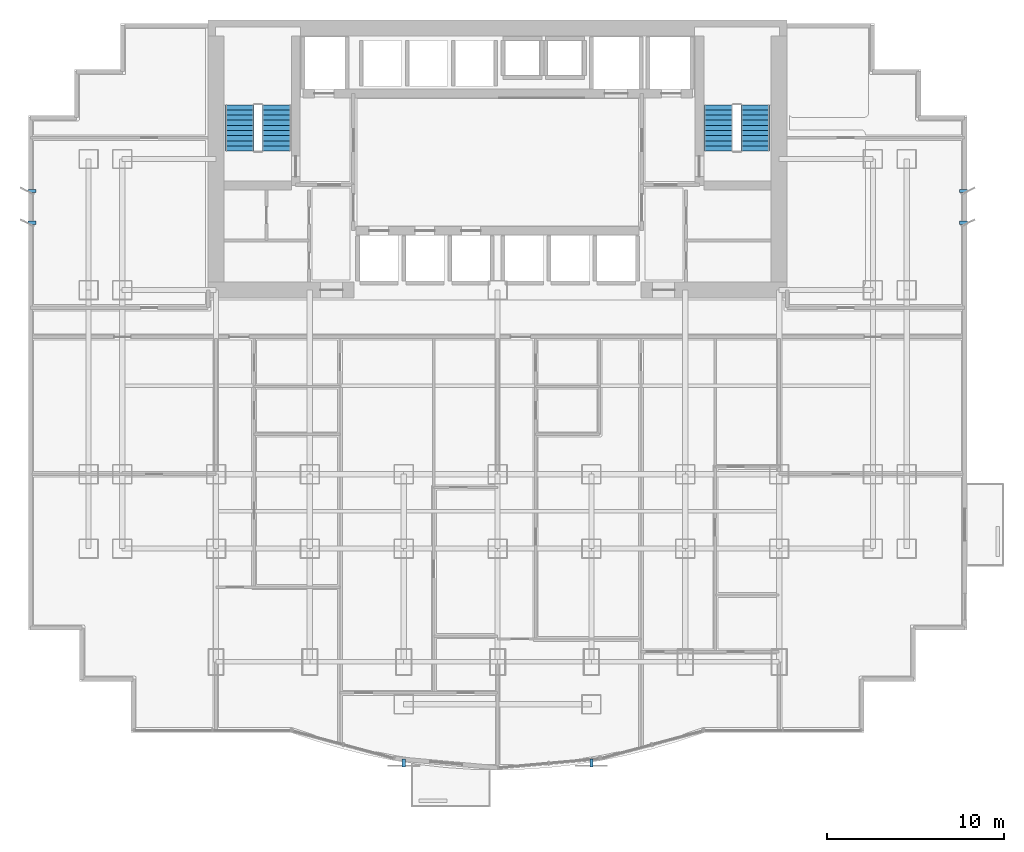
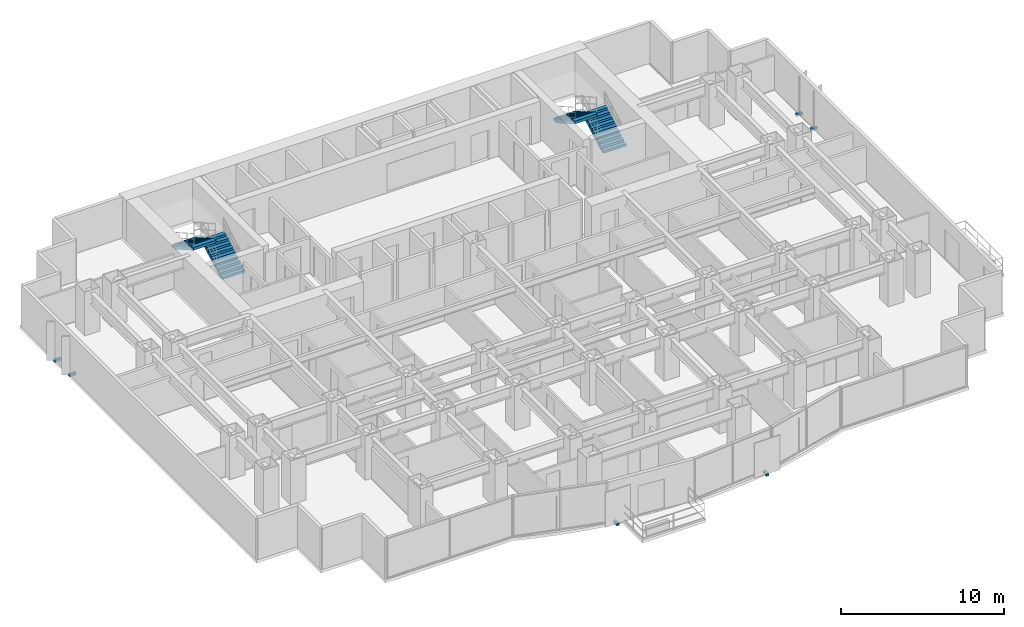
# One storey, part 8 of 10: 6 discrete accessories, 4 stair flights, 2 elements without a shape of their own.
"""IFC4 building model written with IfcOpenShell, lengths in metres."""

from ifc_helpers import new_model, si_unit, direction, frame, origin, origin_2d, place, context, subcontext, project, spatial, polyline, rectangle, outline, extrude, source, transform, mapped, material, type_object, element, aggregate, save


model = new_model("IFC4")

# Units and contexts
model_context = context("Model", 3, precision=1e-05, world=origin(), true_north=direction((0.0, 1.0)))
body_context = subcontext(model_context, "Body", "Model", "MODEL_VIEW")
ifc_project = project(units=[si_unit("LENGTHUNIT", "METRE"), si_unit("AREAUNIT", "SQUARE_METRE"), si_unit("VOLUMEUNIT", "CUBIC_METRE"), si_unit("PLANEANGLEUNIT", "RADIAN"), si_unit("MASSUNIT", "GRAM", prefix="KILO")], contexts=[model_context])

# Site, building, storey
site_placement = place(None, origin())
site = spatial("IfcSite", under=ifc_project, at=site_placement, CompositionType="ELEMENT")
building_placement = place(site_placement, origin())
building = spatial("IfcBuilding", under=site, at=building_placement, Name="Qianlan Lanfeng Residences", CompositionType="ELEMENT")
storey_placement = place(building_placement, frame((0.0, 0.0, 50.60009765625)))
storey = spatial("IfcBuildingStorey", under=building, at=storey_placement, Name="L13", CompositionType="ELEMENT", Elevation=50.60009765625)

# Stair, stair flights
ifc_material_1 = material(Name="Concrete C42", Category="concrete")
stair_type = type_object("IfcStairType", Name="STR-MAIN", PredefinedType="HALF_TURN_STAIR", material=ifc_material_1)
stair_1_placement = place(storey_placement, origin())
stair_1 = element("IfcStair", 1, at=stair_1_placement, inside=storey, type_object=stair_type, Name="L13 Exit Stair ST-1", PredefinedType="HALF_TURN_STAIR")
stair_flight_type = type_object("IfcStairFlightType", Name="FLT-1720", PredefinedType="STRAIGHT", material=ifc_material_1)
stair_flight_1_placement = place(storey_placement, frame((14.02001953125, 33.050048828125, 0.0), z_axis=(0.0, 0.0, 1.0), x_axis=(0.0, 1.0, 0.0)))
stair_flight_1 = element("IfcStairFlight", 2, at=stair_flight_1_placement, type_object=stair_flight_type, Name="ST-1 flight 1", NumberOfRisers=10, NumberOfTreads=9, PredefinedType="STRAIGHT", RiserHeight=0.165, TreadLength=0.29, context=body_context, shape_type="SweptSolid", body=[
    extrude(outline(polyline([(0.0, 0.0), (0.0, 0.1650390625), (0.2900390625, 0.1650390625), (0.2900390625, 0.330078125), (0.580078125, 0.330078125), (0.580078125, 0.4951171875), (0.8701171875, 0.4951171875), (0.8701171875, 0.659912109375), (1.159912109375, 0.659912109375), (1.159912109375, 0.824951171875), (1.449951171875, 0.824951171875), (1.449951171875, 0.989990234375), (1.739990234375, 0.989990234375), (1.739990234375, 1.155029296875), (2.030029296875, 1.155029296875), (2.030029296875, 1.320068359375), (2.320068359375, 1.320068359375), (2.320068359375, 1.485107421875), (2.610107421875, 1.485107421875), (2.610107421875, 1.64990234375), (2.610107421875, 1.278076171875), (0.36376953125, 0.0), (0.0, 0.0)])), frame((0.0, 0.800048828125, 0.0), z_axis=(0.0, -1.0, 0.0), x_axis=(1.0, 0.0, 0.0)), (0.0, 0.0, 1.0), 1.60009765625),
])
stair_flight_2_placement = place(storey_placement, frame((11.93994140625, 35.659912109375, 1.64990234375), z_axis=(0.0, 0.0, 1.0), x_axis=(0.0, -1.0, 0.0)))
stair_flight_2 = element("IfcStairFlight", 3, at=stair_flight_2_placement, type_object=stair_flight_type, Name="ST-1 flight 2", NumberOfRisers=10, NumberOfTreads=9, PredefinedType="STRAIGHT", RiserHeight=0.165, TreadLength=0.29, context=body_context, shape_type="SweptSolid", body=[
    extrude(outline(polyline([(0.0, 0.0), (0.0, 0.1650390625), (0.2900390625, 0.1650390625), (0.2900390625, 0.330078125), (0.580078125, 0.330078125), (0.580078125, 0.4951171875), (0.8701171875, 0.4951171875), (0.8701171875, 0.659912109375), (1.159912109375, 0.659912109375), (1.159912109375, 0.824951171875), (1.449951171875, 0.824951171875), (1.449951171875, 0.989990234375), (1.739990234375, 0.989990234375), (1.739990234375, 1.155029296875), (2.030029296875, 1.155029296875), (2.030029296875, 1.320068359375), (2.320068359375, 1.320068359375), (2.320068359375, 1.485107421875), (2.610107421875, 1.485107421875), (2.610107421875, 1.64990234375), (2.610107421875, 1.278076171875), (0.36376953125, 0.0), (0.0, 0.0)])), frame((0.0, 0.800048828125, 0.0), z_axis=(0.0, -1.0, 0.0), x_axis=(1.0, 0.0, 0.0)), (0.0, 0.0, 1.0), 1.60009765625),
])
aggregate(stair_1, [stair_flight_1, stair_flight_2])

stair_2_placement = place(storey_placement, origin())
stair_2 = element("IfcStair", 4, at=stair_2_placement, inside=storey, type_object=stair_type, Name="L13 Exit Stair ST-2", PredefinedType="HALF_TURN_STAIR")
stair_flight_3_placement = place(storey_placement, frame((41.06005859375, 33.050048828125, 0.0), z_axis=(0.0, 0.0, 1.0), x_axis=(0.0, 1.0, 0.0)))
stair_flight_3 = element("IfcStairFlight", 5, at=stair_flight_3_placement, type_object=stair_flight_type, Name="ST-2 flight 1", NumberOfRisers=10, NumberOfTreads=9, PredefinedType="STRAIGHT", RiserHeight=0.165, TreadLength=0.29, context=body_context, shape_type="SweptSolid", body=[
    extrude(outline(polyline([(0.0, 0.0), (0.0, 0.1650390625), (0.2900390625, 0.1650390625), (0.2900390625, 0.330078125), (0.580078125, 0.330078125), (0.580078125, 0.4951171875), (0.8701171875, 0.4951171875), (0.8701171875, 0.659912109375), (1.159912109375, 0.659912109375), (1.159912109375, 0.824951171875), (1.449951171875, 0.824951171875), (1.449951171875, 0.989990234375), (1.739990234375, 0.989990234375), (1.739990234375, 1.155029296875), (2.030029296875, 1.155029296875), (2.030029296875, 1.320068359375), (2.320068359375, 1.320068359375), (2.320068359375, 1.485107421875), (2.610107421875, 1.485107421875), (2.610107421875, 1.64990234375), (2.610107421875, 1.278076171875), (0.36376953125, 0.0), (0.0, 0.0)])), frame((0.0, 0.800048828125, 0.0), z_axis=(0.0, -1.0, 0.0), x_axis=(1.0, 0.0, 0.0)), (0.0, 0.0, 1.0), 1.60009765625),
])
stair_flight_4_placement = place(storey_placement, frame((38.97998046875, 35.659912109375, 1.64990234375), z_axis=(0.0, 0.0, 1.0), x_axis=(0.0, -1.0, 0.0)))
stair_flight_4 = element("IfcStairFlight", 6, at=stair_flight_4_placement, type_object=stair_flight_type, Name="ST-2 flight 2", NumberOfRisers=10, NumberOfTreads=9, PredefinedType="STRAIGHT", RiserHeight=0.165, TreadLength=0.29, context=body_context, shape_type="SweptSolid", body=[
    extrude(outline(polyline([(0.0, 0.0), (0.0, 0.1650390625), (0.2900390625, 0.1650390625), (0.2900390625, 0.330078125), (0.580078125, 0.330078125), (0.580078125, 0.4951171875), (0.8701171875, 0.4951171875), (0.8701171875, 0.659912109375), (1.159912109375, 0.659912109375), (1.159912109375, 0.824951171875), (1.449951171875, 0.824951171875), (1.449951171875, 0.989990234375), (1.739990234375, 0.989990234375), (1.739990234375, 1.155029296875), (2.030029296875, 1.155029296875), (2.030029296875, 1.320068359375), (2.320068359375, 1.320068359375), (2.320068359375, 1.485107421875), (2.610107421875, 1.485107421875), (2.610107421875, 1.64990234375), (2.610107421875, 1.278076171875), (0.36376953125, 0.0), (0.0, 0.0)])), frame((0.0, 0.800048828125, 0.0), z_axis=(0.0, -1.0, 0.0), x_axis=(1.0, 0.0, 0.0)), (0.0, 0.0, 1.0), 1.60009765625),
])
aggregate(stair_2, [stair_flight_3, stair_flight_4])

# Discrete accessories
ifc_material_2 = material(Name="Stainless Steel Facade Bracket", Category="steel")
discrete_accessory_type = type_object("IfcDiscreteAccessoryType", Name="BRK-SS-350", PredefinedType="BRACKET", material=ifc_material_2)
shared_shape_1 = source(origin(), body_context, "Body", "SweptSolid", [
    extrude(rectangle(XDim=0.179931640625, YDim=0.449951171875, at=origin_2d()), origin(), (0.0, 0.0, 1.0), 0.179931640625),
])
for number, where, z_axis, x_axis, name in (
    (7, (21.199951171875, -1.5, -0.14990234375), (0.0, 0.0, 1.0), (1.0, 0.0, 0.0), "L13 Solar Screen Support Bracket 1"),
    (8, (31.800048828125, -1.5, -0.14990234375), (0.0, 0.0, 1.0), (1.0, 0.0, 0.0), "L13 Solar Screen Support Bracket 2"),
):
    element("IfcDiscreteAccessory", number, at=place(storey_placement, frame(where, z_axis=z_axis, x_axis=x_axis)), inside=storey, type_object=discrete_accessory_type, Name=name, PredefinedType="BRACKET", context=body_context, shape_type="MappedRepresentation", body=[
        mapped(shared_shape_1, transform((0.0, 0.0, 0.0), scale=1.0)),
    ])
shared_shape_2 = source(origin(), body_context, "Body", "SweptSolid", [
    extrude(rectangle(XDim=0.449951171875, YDim=0.179931640625, at=origin_2d()), origin(), (0.0, 0.0, 1.0), 0.179931640625),
])
for number, where, z_axis, x_axis, name in (
    (9, (0.199951171875, 29.0, -0.14990234375), (0.0, 0.0, 1.0), (1.0, 0.0, 0.0), "L13 Raked Solar Fin Support Bracket W1"),
    (10, (0.199951171875, 30.800048828125, -0.14990234375), (0.0, 0.0, 1.0), (1.0, 0.0, 0.0), "L13 Raked Solar Fin Support Bracket W2"),
    (11, (52.800048828125, 29.0, -0.14990234375), (0.0, 0.0, 1.0), (1.0, 0.0, 0.0), "L13 Raked Solar Fin Support Bracket E1"),
    (12, (52.800048828125, 30.800048828125, -0.14990234375), (0.0, 0.0, 1.0), (1.0, 0.0, 0.0), "L13 Raked Solar Fin Support Bracket E2"),
):
    element("IfcDiscreteAccessory", number, at=place(storey_placement, frame(where, z_axis=z_axis, x_axis=x_axis)), inside=storey, type_object=discrete_accessory_type, Name=name, PredefinedType="BRACKET", context=body_context, shape_type="MappedRepresentation", body=[
        mapped(shared_shape_2, transform((0.0, 0.0, 0.0), scale=1.0)),
    ])

save(model, "model.ifc")
